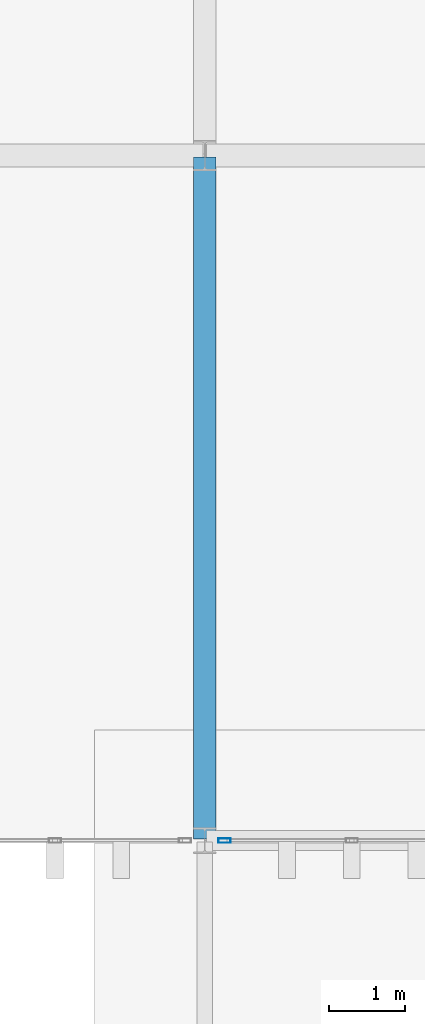
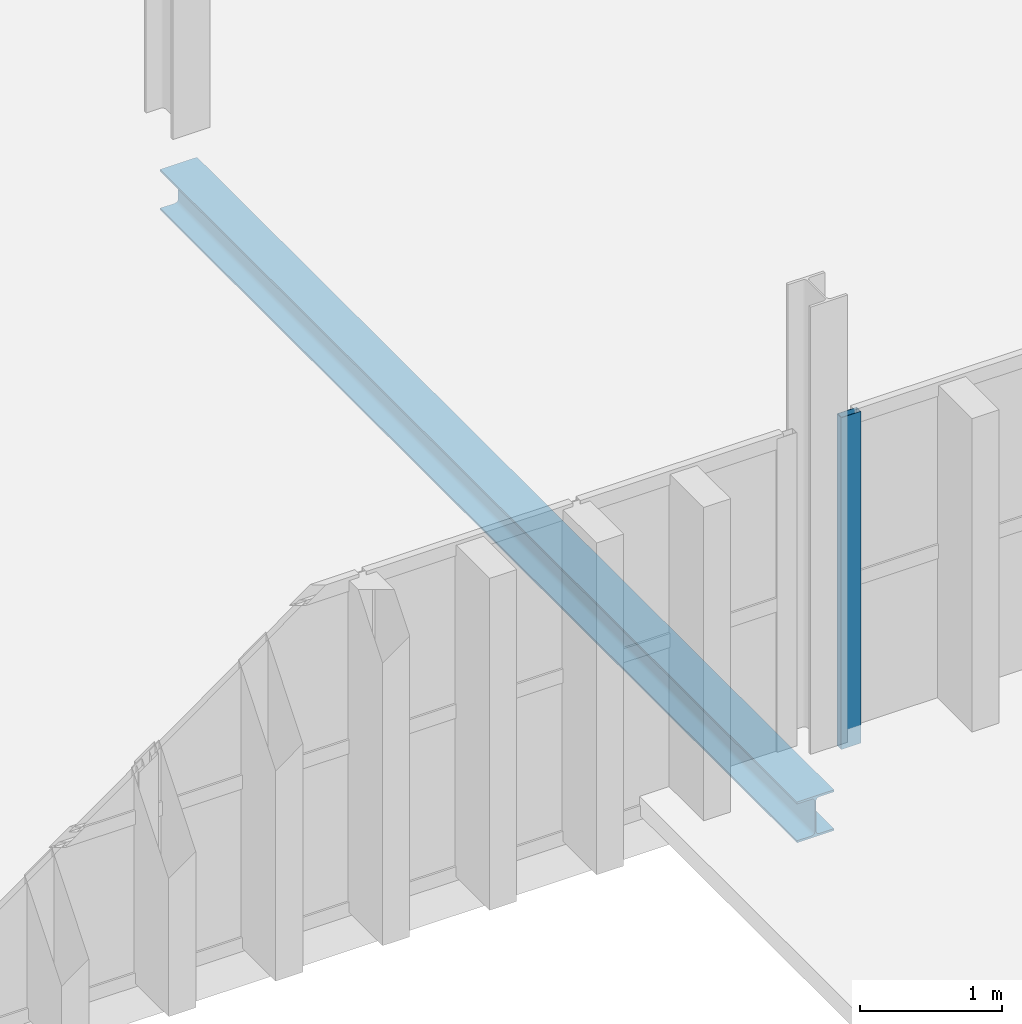
# One storey, part 27 of 102: 1 beam, 1 member, 1 element without a shape of its own.
"""IFC4 building model written with IfcOpenShell, lengths in metres."""

import ifcopenshell
import ifcopenshell.guid

model = None  # the IFC model being written
_history = None  # IfcOwnerHistory: only IFC2X3 demands one
_inside = {}  # id of a spatial element -> (the spatial element, [elements in it])
_under = {}  # id of a project, library or spatial element -> (it, [spatial elements below it])
_declared = {}  # id of a project -> (the project, [libraries it declares])
_typed = {}  # id of a type object -> (the type object, [elements of that type])
_made_of = {}  # id of a material, layer set ... -> (it, [elements and type objects made of it])


def new_model(schema):
    """Start an empty IFC model of exactly this schema.

    Asked for "IFC4X3", IfcOpenShell would pick the latest addendum, in which some entities
    have other attributes; the version numbers below select the first issue.
    IFC2X3 requires an IfcOwnerHistory on every rooted entity: one is made here for all.
    """
    global model, _history
    if schema == "IFC4X3":
        model = ifcopenshell.file(schema_version=(4, 3, 0, 0))
    else:
        model = ifcopenshell.file(schema=schema)
    _inside.clear()
    _under.clear()
    _declared.clear()
    _typed.clear()
    _made_of.clear()
    _history = None
    if model.schema == "IFC2X3":
        org = make("IfcOrganization", Name="unknown")
        user = make(
            "IfcPersonAndOrganization",
            ThePerson=make("IfcPerson", FamilyName="unknown"),
            TheOrganization=org,
        )
        app = make(
            "IfcApplication",
            ApplicationDeveloper=org,
            Version="unknown",
            ApplicationFullName="unknown",
            ApplicationIdentifier="unknown",
        )
        _history = make(
            "IfcOwnerHistory",
            OwningUser=user,
            OwningApplication=app,
            ChangeAction="ADDED",
            CreationDate=0,
        )
    return model


def make(cls, **values):
    """One entity of the class cls with the attributes given. An attribute that is None is left unset."""
    return model.create_entity(
        cls, **{name: value for name, value in values.items() if value is not None}
    )


def rooted(cls, **values):
    """An entity with a GlobalId (a new one), such as an element, a storey or a relation."""
    return make(cls, GlobalId=ifcopenshell.guid.new(), OwnerHistory=_history, **values)


def si_unit(unit_type, name, prefix=None):
    """IfcSIUnit, for example si_unit("LENGTHUNIT", "METRE", prefix="MILLI")."""
    return make("IfcSIUnit", UnitType=unit_type, Prefix=prefix, Name=name)


def assignment(units):
    """IfcUnitAssignment: the units of a project."""
    return None if units is None else make("IfcUnitAssignment", Units=units)


def point(xyz):
    """IfcCartesianPoint."""
    return None if xyz is None else make("IfcCartesianPoint", Coordinates=xyz)


def direction(xyz):
    """IfcDirection."""
    return None if xyz is None else make("IfcDirection", DirectionRatios=xyz)


def frame(location, z_axis=None, x_axis=None):
    """IfcAxis2Placement3D, a coordinate frame: its origin and axes. An axis left out is left unset."""
    return make(
        "IfcAxis2Placement3D",
        Location=point(location),
        Axis=direction(z_axis),
        RefDirection=direction(x_axis),
    )


def frame_2d(location, x_axis=None):
    """IfcAxis2Placement2D, a coordinate frame in the plane: its origin and x axis."""
    return make(
        "IfcAxis2Placement2D", Location=point(location), RefDirection=direction(x_axis)
    )


def origin():
    """The frame at (0, 0, 0) with its axes left unset."""
    return frame((0.0, 0.0, 0.0))


def origin_2d():
    """The frame at (0, 0) in the plane with its x axis left unset."""
    return frame_2d((0.0, 0.0))


def place(relative_to, where):
    """IfcLocalPlacement: puts the frame where relative to a parent placement (None: the world)."""
    return make(
        "IfcLocalPlacement", PlacementRelTo=relative_to, RelativePlacement=where
    )


def context(
    kind, dimensions, precision=None, world=None, true_north=None, identifier=None
):
    """IfcGeometricRepresentationContext, for example the 3D "Model" context."""
    return make(
        "IfcGeometricRepresentationContext",
        ContextIdentifier=identifier,
        ContextType=kind,
        CoordinateSpaceDimension=dimensions,
        Precision=precision,
        WorldCoordinateSystem=world,
        TrueNorth=true_north,
    )


def subcontext(parent, identifier, kind, view, scale=None):
    """IfcGeometricRepresentationSubContext, for example "Body" below "Model"."""
    return make(
        "IfcGeometricRepresentationSubContext",
        ContextIdentifier=identifier,
        ContextType=kind,
        ParentContext=parent,
        TargetScale=scale,
        TargetView=view,
    )


def project(units=None, contexts=None):
    """IfcProject with its units and contexts."""
    return rooted(
        "IfcProject",
        Name="project",
        RepresentationContexts=contexts,
        UnitsInContext=assignment(units),
    )


def spatial(cls, under=None, at=None, **own):
    """A site, building, storey or space (cls), placed at a placement, below another one or the project."""
    s = rooted(cls, ObjectPlacement=at, **own)
    if under is not None:
        _under.setdefault(under.id(), (under, []))[1].append(s)
    return s


def profile(cls, at=None, kind="AREA", **sizes):
    """A parametric profile (cls). Its sizes go by their IFC names, for example OverallWidth=200.0."""
    return make(cls, ProfileType=kind, Position=at, **sizes)


def hollow_rectangle(**sizes):
    """IfcRectangleHollowProfileDef."""
    return profile("IfcRectangleHollowProfileDef", **sizes)


def i_section(**sizes):
    """IfcIShapeProfileDef."""
    return profile("IfcIShapeProfileDef", **sizes)


def extrude(swept, where, along, depth):
    """IfcExtrudedAreaSolid: the profile swept, set in the frame where, extruded along a direction by depth."""
    return make(
        "IfcExtrudedAreaSolid",
        SweptArea=swept,
        Position=where,
        ExtrudedDirection=direction(along),
        Depth=depth,
    )


def shape(context_of_items, identifier, shape_type, items):
    """IfcShapeRepresentation: the items that make up one representation, for example the "Body"."""
    return make(
        "IfcShapeRepresentation",
        ContextOfItems=context_of_items,
        RepresentationIdentifier=identifier,
        RepresentationType=shape_type,
        Items=items,
    )


def material(Name=None, Category=None):
    """IfcMaterial."""
    return make("IfcMaterial", Name=Name, Category=Category)


def layer(
    of_material, thickness, ventilated=None, Name=None, Category=None, Priority=None
):
    """IfcMaterialLayer: one layer of a wall or slab, of a material (None: an air gap)."""
    return make(
        "IfcMaterialLayer",
        Material=of_material,
        LayerThickness=thickness,
        IsVentilated=ventilated,
        Name=Name,
        Category=Category,
        Priority=Priority,
    )


def layer_set(layers, Name=None):
    """IfcMaterialLayerSet."""
    return make("IfcMaterialLayerSet", MaterialLayers=layers, LayerSetName=Name)


def material_profile(
    of_material, cross_section, Name=None, Category=None, Priority=None
):
    """IfcMaterialProfile: a cross section and its material."""
    return make(
        "IfcMaterialProfile",
        Name=Name,
        Material=of_material,
        Profile=cross_section,
        Priority=Priority,
        Category=Category,
    )


def profile_set(profiles, Name=None, composite=None):
    """IfcMaterialProfileSet."""
    return make(
        "IfcMaterialProfileSet",
        Name=Name,
        MaterialProfiles=profiles,
        CompositeProfile=composite,
    )


def made_of(thing, what):
    """Note that an element or type object is made of a material, layer set ...; save() writes the relation."""
    if what is not None:
        _made_of.setdefault(what.id(), (what, []))[1].append(thing)
    return thing


def type_object(cls, material=None, **own):
    """A type object (cls), such as IfcWallType, which elements share."""
    return made_of(rooted(cls, **own), material)


def element(
    cls,
    number,
    at=None,
    inside=None,
    cuts=None,
    type_object=None,
    material=None,
    context=None,
    identifier="Body",
    shape_type=None,
    held_by="IfcProductDefinitionShape",
    body=None,
    shapes=None,
    **own,
):
    """One element of the class cls, such as IfcWall. Its Tag is "e" and its number.

    at: its placement. inside: the storey or other place that contains it. cuts: it is an
    opening in that element (IfcRelVoidsElement). A single representation is given by context,
    identifier, shape_type and body (its items); several are given by shapes. held_by: the class
    of the entity that holds the representations. save() writes the other relations.
    """
    e = rooted(cls, Tag="e%d" % number, ObjectPlacement=at, **own)
    if body is not None:
        shapes = [shape(context, identifier, shape_type, body)]
    if shapes is not None:
        e.Representation = make(held_by, Representations=shapes)
    if inside is not None:
        _inside.setdefault(inside.id(), (inside, []))[1].append(e)
    if cuts is not None:
        rooted(
            "IfcRelVoidsElement", RelatingBuildingElement=cuts, RelatedOpeningElement=e
        )
    if type_object is not None:
        _typed.setdefault(type_object.id(), (type_object, []))[1].append(e)
    return made_of(e, material)


def aggregate(whole, parts):
    """IfcRelAggregates: a whole, such as a stair, and the parts it consists of."""
    return rooted("IfcRelAggregates", RelatingObject=whole, RelatedObjects=parts)


def save(model, path):
    """Write the relations noted so far, then the file.

    IfcRelAggregates (storeys below a building ...), IfcRelContainedInSpatialStructure (elements
    in a storey), IfcRelDefinesByType, IfcRelAssociatesMaterial and IfcRelDeclares: one each for
    every whole, place, type object, material and project.
    """
    for whole, parts in _under.values():
        aggregate(whole, parts)
    for where, things in _inside.values():
        rooted(
            "IfcRelContainedInSpatialStructure",
            RelatedElements=things,
            RelatingStructure=where,
        )
    for kind, things in _typed.values():
        rooted("IfcRelDefinesByType", RelatedObjects=things, RelatingType=kind)
    for what, things in _made_of.values():
        rooted("IfcRelAssociatesMaterial", RelatedObjects=things, RelatingMaterial=what)
    for by, libraries in _declared.values():
        rooted("IfcRelDeclares", RelatingContext=by, RelatedDefinitions=libraries)
    model.write(path)


model = new_model("IFC4")

# Units and contexts
model_context = context("Model", 3, precision=1e-05, world=origin(), true_north=direction((0.0, 1.0)))
body_context = subcontext(model_context, "Body", "Model", "MODEL_VIEW")
ifc_project = project(units=[si_unit("LENGTHUNIT", "METRE"), si_unit("AREAUNIT", "SQUARE_METRE"), si_unit("VOLUMEUNIT", "CUBIC_METRE"), si_unit("PLANEANGLEUNIT", "RADIAN"), si_unit("MASSUNIT", "GRAM", prefix="KILO")], contexts=[model_context])

# Site, building, storey
site_placement = place(None, origin())
site = spatial("IfcSite", under=ifc_project, at=site_placement, CompositionType="ELEMENT")
building_placement = place(site_placement, origin())
building = spatial("IfcBuilding", under=site, at=building_placement, Name="Barlavento Convention Centre", CompositionType="ELEMENT")
storey_placement = place(building_placement, frame((0.0, 0.0, 22.800048828125)))
storey = spatial("IfcBuildingStorey", under=building, at=storey_placement, Name="L04", CompositionType="ELEMENT", Elevation=22.800048828125)

# Curtain wall, member
ifc_material_1 = material(Name="Powder-coated aluminium and Low-E glass", Category="aluminium")
ifc_layer = layer(ifc_material_1, 0.18505859375)
ifc_layer_set = layer_set([ifc_layer], Name="ARC-CW-CONF-L04")
curtain_wall_type = type_object("IfcCurtainWallType", Name="ARC-CW-CONF-L04", PredefinedType="NOTDEFINED", material=ifc_layer_set)
curtain_wall_placement = place(storey_placement, origin())
curtain_wall = element("IfcCurtainWall", 1, at=curtain_wall_placement, inside=storey, type_object=curtain_wall_type, Name="L04 unitised curtain wall CW09", PredefinedType="NOTDEFINED")
ifc_material_2 = material(Name="Powder-coated aluminium", Category="aluminium")
ifc_material_profile_1 = material_profile(ifc_material_2, hollow_rectangle(XDim=0.06005859375, YDim=0.159912109375, WallThickness=0.00390625, at=origin_2d()), Name="AL-MULL 60x160x4")
ifc_profile_set_1 = profile_set([ifc_material_profile_1], Name="Powder-coated aluminium")
member_type = type_object("IfcMemberType", Name="ARC-CWM-60X160", PredefinedType="MULLION", material=ifc_profile_set_1)
member_placement = place(storey_placement, frame((171.260009765625, 27.0, 0.0), z_axis=(0.0, 0.0, 1.0), x_axis=(0.0, 1.0, 0.0)))
member = element("IfcMember", 2, at=member_placement, type_object=member_type, Name="CW09 mullion 1", PredefinedType="MULLION", context=body_context, shape_type="SweptSolid", body=[
    extrude(hollow_rectangle(XDim=0.06005859375, YDim=0.159912109375, WallThickness=0.00390625, at=origin_2d()), origin(), (0.0, 0.0, 1.0), 2.849853515625),
])
aggregate(curtain_wall, [member])

# Beam
ifc_material_3 = material(Name="Steel S355", Category="steel")
ifc_material_profile_2 = material_profile(ifc_material_3, i_section(OverallWidth=0.300048828125, OverallDepth=0.35009765625, WebThickness=0.010009765625, FlangeThickness=0.017578125, FilletRadius=0.027099609375, at=origin_2d()), Name="HEA 360")
ifc_profile_set_2 = profile_set([ifc_material_profile_2], Name="Steel S355")
beam_type = type_object("IfcBeamType", Name="STR-BM-PRI-HEA360", PredefinedType="BEAM", material=ifc_profile_set_2)
beam_placement = place(storey_placement, frame((171.0, 27.02001953125, -0.5400390625), z_axis=(0.0, 1.0, 0.0), x_axis=(-1.0, 0.0, 0.0)))
element("IfcBeam", 3, at=beam_placement, inside=storey, type_object=beam_type, Name="L04 grid girder BG23", PredefinedType="BEAM", context=body_context, shape_type="SweptSolid", body=[
    extrude(i_section(OverallWidth=0.300048828125, OverallDepth=0.35009765625, WebThickness=0.010009765625, FlangeThickness=0.017578125, FilletRadius=0.027099609375, at=origin_2d()), origin(), (0.0, 0.0, 1.0), 8.9599609375),
])

save(model, "model.ifc")
